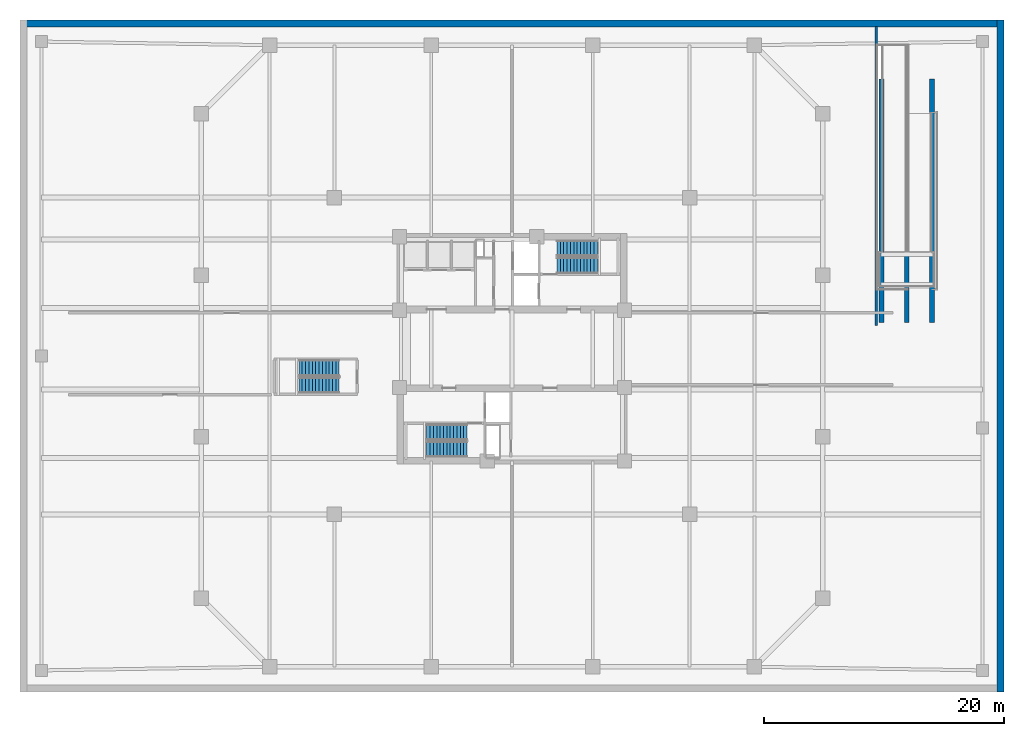
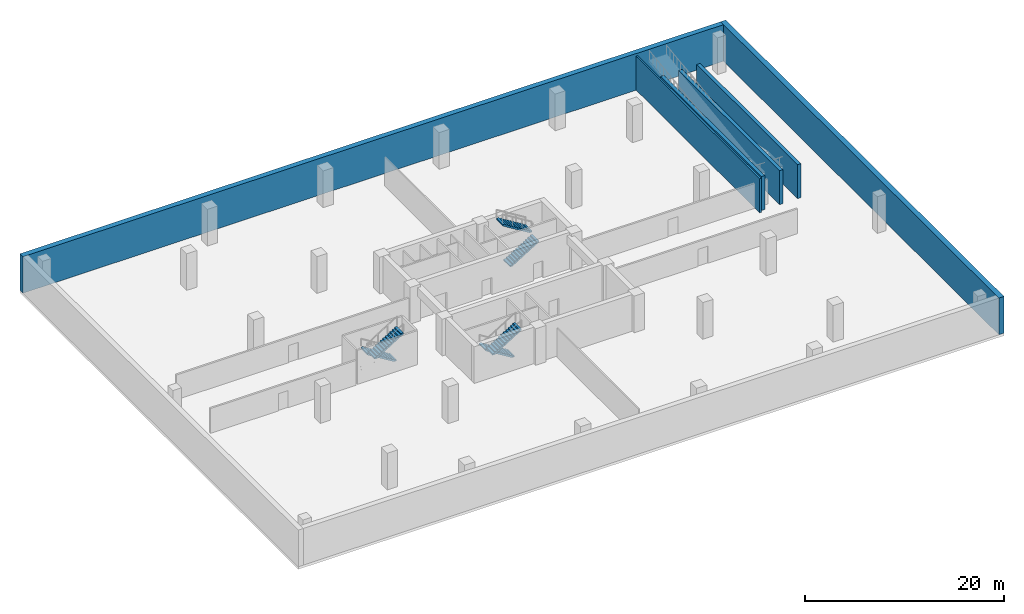
# One storey, part 5 of 8: 6 stair flights, 6 walls, 3 elements without a shape of their own.
"""IFC4 building model written with IfcOpenShell, lengths in metres."""

from ifc_helpers import new_model, si_unit, direction, frame, frame_2d, origin, place, context, subcontext, project, spatial, polyline, rectangle, outline, extrude, material, layer, layer_set, type_object, element, aggregate, save


model = new_model("IFC4")

# Units and contexts
model_context = context("Model", 3, precision=1e-05, world=origin(), true_north=direction((0.0, 1.0)))
body_context = subcontext(model_context, "Body", "Model", "MODEL_VIEW")
ifc_project = project(units=[si_unit("LENGTHUNIT", "METRE"), si_unit("AREAUNIT", "SQUARE_METRE"), si_unit("VOLUMEUNIT", "CUBIC_METRE"), si_unit("PLANEANGLEUNIT", "RADIAN"), si_unit("MASSUNIT", "GRAM", prefix="KILO")], contexts=[model_context])

# Site, building, storey
site_placement = place(None, origin())
site = spatial("IfcSite", under=ifc_project, at=site_placement, CompositionType="ELEMENT")
building_placement = place(site_placement, origin())
building = spatial("IfcBuilding", under=site, at=building_placement, Name="Qhalaya Broadcast Tower", CompositionType="ELEMENT")
storey_placement = place(building_placement, frame((0.0, 0.0, -4.5)))
storey = spatial("IfcBuildingStorey", under=building, at=storey_placement, Name="B01", CompositionType="ELEMENT", Elevation=-4.5)

# Walls
ifc_material_1 = material(Name="Concrete C45/55", Category="concrete")
ifc_layer_1 = layer(ifc_material_1, 0.60009765625, Name="Concrete C45/55")
ifc_layer_set_1 = layer_set([ifc_layer_1], Name="Concrete C45/55")
wall_type_1 = type_object("IfcWallType", Name="Basement Perimeter Retaining Wall 600", PredefinedType="USERDEFINED", material=ifc_layer_set_1)
wall_1_placement = place(storey_placement, frame((-41.0, 27.699951171875, 0.0), z_axis=(0.0, 0.0, 1.0), x_axis=(1.0, 0.0, 0.0)))
element("IfcWall", 1, at=wall_1_placement, inside=storey, type_object=wall_type_1, Name="B01 Basement Retaining Wall RW-N", ObjectType="RETAININGWALL", PredefinedType="USERDEFINED", context=body_context, shape_type="SweptSolid", body=[
    extrude(rectangle(XDim=82.0, YDim=0.60009765625, at=frame_2d((41.0, 0.0))), origin(), (0.0, 0.0, 1.0), 4.5),
])
wall_2_placement = place(storey_placement, frame((40.699951171875, -28.0, 0.0), z_axis=(0.0, 0.0, 1.0), x_axis=(0.0, 1.0, 0.0)))
element("IfcWall", 2, at=wall_2_placement, inside=storey, type_object=wall_type_1, Name="B01 Basement Retaining Wall RW-E", ObjectType="RETAININGWALL", PredefinedType="USERDEFINED", context=body_context, shape_type="SweptSolid", body=[
    extrude(rectangle(XDim=56.0, YDim=0.60009765625, at=frame_2d((28.0, 0.0))), origin(), (0.0, 0.0, 1.0), 4.5),
])
ifc_material_2 = material(Name="Gypsum Acoustic Partition")
ifc_layer_2 = layer(ifc_material_2, 0.199951171875, Name="Gypsum Acoustic Partition")
ifc_layer_set_2 = layer_set([ifc_layer_2], Name="Gypsum Acoustic Partition")
wall_type_2 = type_object("IfcWallType", Name="Firefighting Lobby & Stair Enclosure Wall 200", PredefinedType="PARTITIONING", material=ifc_layer_set_2)
wall_3_placement = place(storey_placement, frame((30.35009765625, 2.56005859375, 0.0), z_axis=(0.0, 0.0, 1.0), x_axis=(0.0, 1.0, 0.0)))
element("IfcWall", 3, at=wall_3_placement, inside=storey, type_object=wall_type_2, Name="B01 Partition Wall W-B01RM", PredefinedType="PARTITIONING", context=body_context, shape_type="SweptSolid", body=[
    extrude(rectangle(XDim=24.8798828125, YDim=0.199951171875, at=frame_2d((12.43994140625, 0.0))), origin(), (0.0, 0.0, 1.0), 4.179931640625),
])
ifc_material_3 = material(Name="Concrete C60/75", Category="concrete")
ifc_layer_3 = layer(ifc_material_3, 0.550048828125, Name="Concrete C60/75")
ifc_layer_set_3 = layer_set([ifc_layer_3], Name="Concrete C60/75")
wall_type_3 = type_object("IfcWallType", Name="Lower Split-Core Shear Wall 550", PredefinedType="SHEAR", material=ifc_layer_set_3)
for number, where, z_axis, x_axis, name in (
    (4, (30.800048828125, 2.800048828125, 0.0), (0.0, 0.0, 1.0), (0.0, 1.0, 0.0), "B01 Vehicle Ramp Support Wall RMW-W"),
    (5, (32.89990234375, 2.800048828125, 0.0), (0.0, 0.0, 1.0), (0.0, 1.0, 0.0), "B01 Vehicle Ramp Support Wall RMW-M"),
    (6, (35.0, 2.800048828125, 0.0), (0.0, 0.0, 1.0), (0.0, 1.0, 0.0), "B01 Vehicle Ramp Support Wall RMW-E"),
):
    element("IfcWall", number, at=place(storey_placement, frame(where, z_axis=z_axis, x_axis=x_axis)), inside=storey, type_object=wall_type_3, Name=name, PredefinedType="SHEAR", context=body_context, shape_type="SweptSolid", body=[
        extrude(rectangle(XDim=20.300048828125, YDim=0.39990234375, at=frame_2d((10.14990234375, 0.0))), origin(), (0.0, 0.0, 1.0), 4.179931640625),
    ])

# Stair, stair flights
ifc_material_4 = material(Name="Concrete C40/50", Category="concrete")
stair_type = type_object("IfcStairType", Name="Protected Dogleg Core Stair 4500", PredefinedType="TWO_STRAIGHT_RUN_STAIR", material=ifc_material_4)
stair_1_placement = place(storey_placement, origin())
stair_1 = element("IfcStair", 7, at=stair_1_placement, inside=storey, type_object=stair_type, Name="B01 North Core Exit Stair ST-1", PredefinedType="TWO_STRAIGHT_RUN_STAIR")
ifc_material_5 = material(Name="Precast Concrete C40/50", Category="concrete")
stair_flight_type = type_object("IfcStairFlightType", Name="Precast Concrete Stair Flight 4500", PredefinedType="STRAIGHT", material=ifc_material_5)
stair_flight_1_placement = place(storey_placement, frame((3.75, 7.5400390625, 0.0), z_axis=(0.0, 0.0, 1.0), x_axis=(1.0, 0.0, 0.0)))
stair_flight_1 = element("IfcStairFlight", 8, at=stair_flight_1_placement, type_object=stair_flight_type, Name="ST-1 flight 1", NumberOfRisers=13, NumberOfTreads=12, PredefinedType="STRAIGHT", RiserHeight=0.173076923, TreadLength=0.28, context=body_context, shape_type="SweptSolid", body=[
    extrude(outline(polyline([(0.0, 0.0), (0.0, 0.173095703125), (0.280029296875, 0.173095703125), (0.280029296875, 0.34619140625), (0.56005859375, 0.34619140625), (0.56005859375, 0.519287109375), (0.840087890625, 0.519287109375), (0.840087890625, 0.6923828125), (1.1201171875, 0.6923828125), (1.1201171875, 0.865478515625), (1.39990234375, 0.865478515625), (1.39990234375, 1.03857421875), (1.679931640625, 1.03857421875), (1.679931640625, 1.21142578125), (1.9599609375, 1.21142578125), (1.9599609375, 1.384521484375), (2.239990234375, 1.384521484375), (2.239990234375, 1.5576171875), (2.52001953125, 1.5576171875), (2.52001953125, 1.730712890625), (2.800048828125, 1.730712890625), (2.800048828125, 1.90380859375), (3.080078125, 1.90380859375), (3.080078125, 2.076904296875), (3.360107421875, 2.076904296875), (3.360107421875, 2.25), (3.360107421875, 1.900634765625), (0.28515625, 0.0), (0.0, 0.0)])), frame((0.0, 0.66015625, 0.0), z_axis=(0.0, -1.0, 0.0), x_axis=(1.0, 0.0, 0.0)), (0.0, 0.0, 1.0), 1.320068359375),
])
stair_flight_2_placement = place(storey_placement, frame((7.110107421875, 8.97998046875, 2.25), z_axis=(0.0, 0.0, 1.0), x_axis=(-1.0, 0.0, 0.0)))
stair_flight_2 = element("IfcStairFlight", 9, at=stair_flight_2_placement, type_object=stair_flight_type, Name="ST-1 flight 2", NumberOfRisers=13, NumberOfTreads=12, PredefinedType="STRAIGHT", RiserHeight=0.173076923, TreadLength=0.28, context=body_context, shape_type="SweptSolid", body=[
    extrude(outline(polyline([(0.0, 0.0), (0.0, 0.173095703125), (0.280029296875, 0.173095703125), (0.280029296875, 0.34619140625), (0.56005859375, 0.34619140625), (0.56005859375, 0.519287109375), (0.840087890625, 0.519287109375), (0.840087890625, 0.6923828125), (1.1201171875, 0.6923828125), (1.1201171875, 0.865478515625), (1.39990234375, 0.865478515625), (1.39990234375, 1.03857421875), (1.679931640625, 1.03857421875), (1.679931640625, 1.21142578125), (1.9599609375, 1.21142578125), (1.9599609375, 1.384521484375), (2.239990234375, 1.384521484375), (2.239990234375, 1.5576171875), (2.52001953125, 1.5576171875), (2.52001953125, 1.730712890625), (2.800048828125, 1.730712890625), (2.800048828125, 1.90380859375), (3.080078125, 1.90380859375), (3.080078125, 2.076904296875), (3.360107421875, 2.076904296875), (3.360107421875, 2.25), (3.360107421875, 1.900634765625), (0.28515625, 0.0), (0.0, 0.0)])), frame((0.0, 0.66015625, 0.0), z_axis=(0.0, -1.0, 0.0), x_axis=(1.0, 0.0, 0.0)), (0.0, 0.0, 1.0), 1.320068359375),
])
aggregate(stair_1, [stair_flight_1, stair_flight_2])

stair_2_placement = place(storey_placement, origin())
stair_2 = element("IfcStair", 10, at=stair_2_placement, inside=storey, type_object=stair_type, Name="B01 South Core Exit Stair ST-2", PredefinedType="TWO_STRAIGHT_RUN_STAIR")
stair_flight_3_placement = place(storey_placement, frame((-3.75, -6.340087890625, 0.0), z_axis=(0.0, 0.0, 1.0), x_axis=(-1.0, 0.0, 0.0)))
stair_flight_3 = element("IfcStairFlight", 11, at=stair_flight_3_placement, type_object=stair_flight_type, Name="ST-2 flight 1", NumberOfRisers=13, NumberOfTreads=12, PredefinedType="STRAIGHT", RiserHeight=0.173076923, TreadLength=0.28, context=body_context, shape_type="SweptSolid", body=[
    extrude(outline(polyline([(0.0, 0.0), (0.0, 0.173095703125), (0.280029296875, 0.173095703125), (0.280029296875, 0.34619140625), (0.56005859375, 0.34619140625), (0.56005859375, 0.519287109375), (0.840087890625, 0.519287109375), (0.840087890625, 0.6923828125), (1.1201171875, 0.6923828125), (1.1201171875, 0.865478515625), (1.39990234375, 0.865478515625), (1.39990234375, 1.03857421875), (1.679931640625, 1.03857421875), (1.679931640625, 1.21142578125), (1.9599609375, 1.21142578125), (1.9599609375, 1.384521484375), (2.239990234375, 1.384521484375), (2.239990234375, 1.5576171875), (2.52001953125, 1.5576171875), (2.52001953125, 1.730712890625), (2.800048828125, 1.730712890625), (2.800048828125, 1.90380859375), (3.080078125, 1.90380859375), (3.080078125, 2.076904296875), (3.360107421875, 2.076904296875), (3.360107421875, 2.25), (3.360107421875, 1.900634765625), (0.28515625, 0.0), (0.0, 0.0)])), frame((0.0, 0.66015625, 0.0), z_axis=(0.0, -1.0, 0.0), x_axis=(1.0, 0.0, 0.0)), (0.0, 0.0, 1.0), 1.320068359375),
])
stair_flight_4_placement = place(storey_placement, frame((-7.110107421875, -7.780029296875, 2.25), z_axis=(0.0, 0.0, 1.0), x_axis=(1.0, 0.0, 0.0)))
stair_flight_4 = element("IfcStairFlight", 12, at=stair_flight_4_placement, type_object=stair_flight_type, Name="ST-2 flight 2", NumberOfRisers=13, NumberOfTreads=12, PredefinedType="STRAIGHT", RiserHeight=0.173076923, TreadLength=0.28, context=body_context, shape_type="SweptSolid", body=[
    extrude(outline(polyline([(0.0, 0.0), (0.0, 0.173095703125), (0.280029296875, 0.173095703125), (0.280029296875, 0.34619140625), (0.56005859375, 0.34619140625), (0.56005859375, 0.519287109375), (0.840087890625, 0.519287109375), (0.840087890625, 0.6923828125), (1.1201171875, 0.6923828125), (1.1201171875, 0.865478515625), (1.39990234375, 0.865478515625), (1.39990234375, 1.03857421875), (1.679931640625, 1.03857421875), (1.679931640625, 1.21142578125), (1.9599609375, 1.21142578125), (1.9599609375, 1.384521484375), (2.239990234375, 1.384521484375), (2.239990234375, 1.5576171875), (2.52001953125, 1.5576171875), (2.52001953125, 1.730712890625), (2.800048828125, 1.730712890625), (2.800048828125, 1.90380859375), (3.080078125, 1.90380859375), (3.080078125, 2.076904296875), (3.360107421875, 2.076904296875), (3.360107421875, 2.25), (3.360107421875, 1.900634765625), (0.28515625, 0.0), (0.0, 0.0)])), frame((0.0, 0.66015625, 0.0), z_axis=(0.0, -1.0, 0.0), x_axis=(1.0, 0.0, 0.0)), (0.0, 0.0, 1.0), 1.320068359375),
])
aggregate(stair_2, [stair_flight_3, stair_flight_4])

stair_3_placement = place(storey_placement, origin())
stair_3 = element("IfcStair", 13, at=stair_3_placement, inside=storey, type_object=stair_type, Name="B01 Podium West Escape Stair ST-P1", PredefinedType="TWO_STRAIGHT_RUN_STAIR")
stair_flight_5_placement = place(storey_placement, frame((-14.39990234375, -1.0, 0.0), z_axis=(0.0, 0.0, 1.0), x_axis=(-1.0, 0.0, 0.0)))
stair_flight_5 = element("IfcStairFlight", 14, at=stair_flight_5_placement, type_object=stair_flight_type, Name="ST-P1 flight 1", NumberOfRisers=13, NumberOfTreads=12, PredefinedType="STRAIGHT", RiserHeight=0.173076923, TreadLength=0.28, context=body_context, shape_type="SweptSolid", body=[
    extrude(outline(polyline([(0.0, 0.0), (0.0, 0.173095703125), (0.280029296875, 0.173095703125), (0.280029296875, 0.34619140625), (0.56005859375, 0.34619140625), (0.56005859375, 0.519287109375), (0.840087890625, 0.519287109375), (0.840087890625, 0.6923828125), (1.1201171875, 0.6923828125), (1.1201171875, 0.865478515625), (1.39990234375, 0.865478515625), (1.39990234375, 1.03857421875), (1.679931640625, 1.03857421875), (1.679931640625, 1.21142578125), (1.9599609375, 1.21142578125), (1.9599609375, 1.384521484375), (2.239990234375, 1.384521484375), (2.239990234375, 1.5576171875), (2.52001953125, 1.5576171875), (2.52001953125, 1.730712890625), (2.800048828125, 1.730712890625), (2.800048828125, 1.90380859375), (3.080078125, 1.90380859375), (3.080078125, 2.076904296875), (3.360107421875, 2.076904296875), (3.360107421875, 2.25), (3.360107421875, 1.900634765625), (0.28515625, 0.0), (0.0, 0.0)])), frame((0.0, 0.66015625, 0.0), z_axis=(0.0, -1.0, 0.0), x_axis=(1.0, 0.0, 0.0)), (0.0, 0.0, 1.0), 1.320068359375),
])
stair_flight_6_placement = place(storey_placement, frame((-17.760009765625, -2.43994140625, 2.25), z_axis=(0.0, 0.0, 1.0), x_axis=(1.0, 0.0, 0.0)))
stair_flight_6 = element("IfcStairFlight", 15, at=stair_flight_6_placement, type_object=stair_flight_type, Name="ST-P1 flight 2", NumberOfRisers=13, NumberOfTreads=12, PredefinedType="STRAIGHT", RiserHeight=0.173076923, TreadLength=0.28, context=body_context, shape_type="SweptSolid", body=[
    extrude(outline(polyline([(0.0, 0.0), (0.0, 0.173095703125), (0.280029296875, 0.173095703125), (0.280029296875, 0.34619140625), (0.56005859375, 0.34619140625), (0.56005859375, 0.519287109375), (0.840087890625, 0.519287109375), (0.840087890625, 0.6923828125), (1.1201171875, 0.6923828125), (1.1201171875, 0.865478515625), (1.39990234375, 0.865478515625), (1.39990234375, 1.03857421875), (1.679931640625, 1.03857421875), (1.679931640625, 1.21142578125), (1.9599609375, 1.21142578125), (1.9599609375, 1.384521484375), (2.239990234375, 1.384521484375), (2.239990234375, 1.5576171875), (2.52001953125, 1.5576171875), (2.52001953125, 1.730712890625), (2.800048828125, 1.730712890625), (2.800048828125, 1.90380859375), (3.080078125, 1.90380859375), (3.080078125, 2.076904296875), (3.360107421875, 2.076904296875), (3.360107421875, 2.25), (3.360107421875, 1.900634765625), (0.28515625, 0.0), (0.0, 0.0)])), frame((0.0, 0.66015625, 0.0), z_axis=(0.0, -1.0, 0.0), x_axis=(1.0, 0.0, 0.0)), (0.0, 0.0, 1.0), 1.320068359375),
])
aggregate(stair_3, [stair_flight_5, stair_flight_6])

save(model, "model.ifc")
